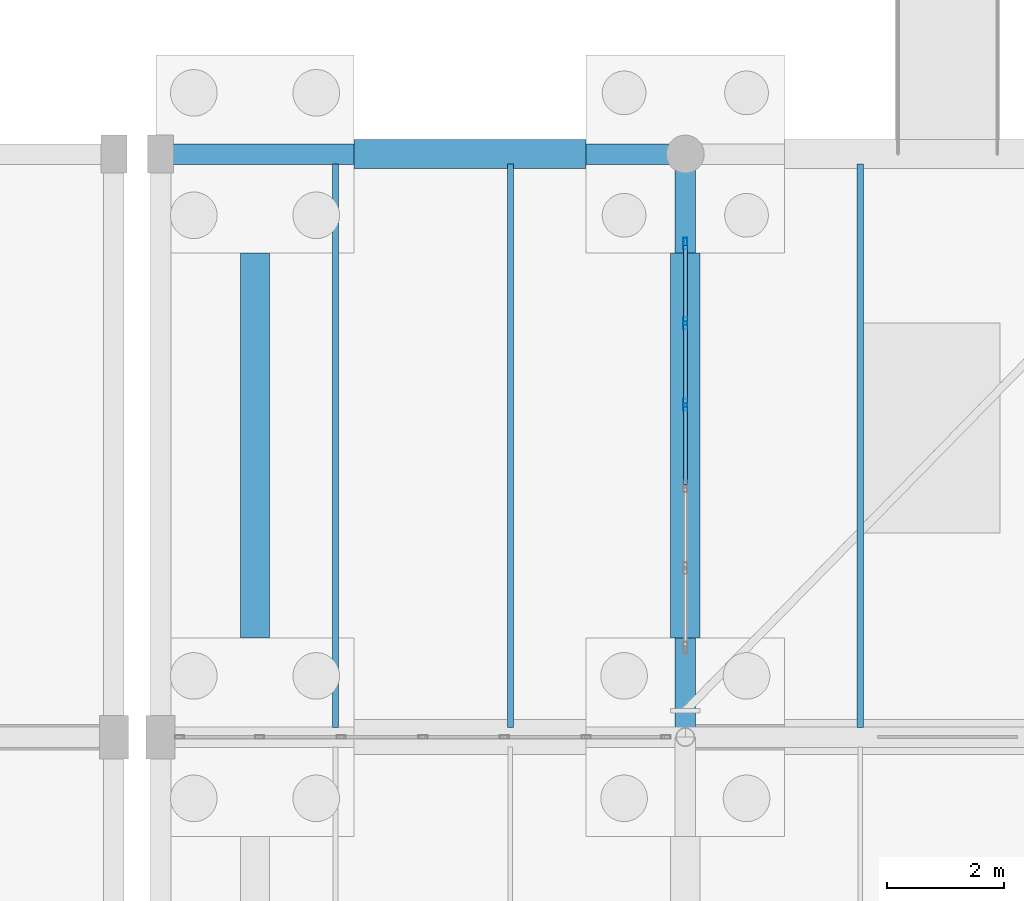
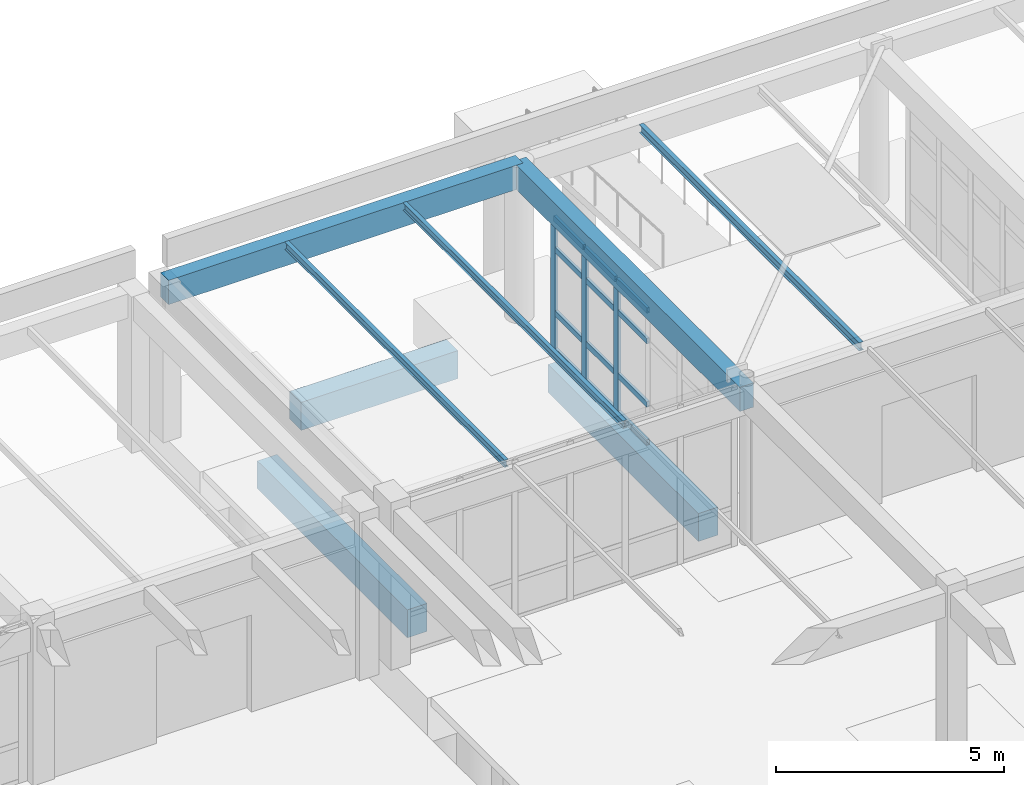
# One storey, part 134 of 186: 15 members, 8 beams, 1 element without a shape of its own.
"""IFC4 building model written with IfcOpenShell, lengths in metres."""

from ifc_helpers import new_model, si_unit, direction, frame, origin, origin_2d, place, context, subcontext, project, spatial, rectangle, hollow_rectangle, i_section, extrude, material, layer, layer_set, material_profile, profile_set, type_object, element, aggregate, save


model = new_model("IFC4")

# Units and contexts
model_context = context("Model", 3, precision=1e-05, world=origin(), true_north=direction((0.0, 1.0)))
body_context = subcontext(model_context, "Body", "Model", "MODEL_VIEW")
ifc_project = project(units=[si_unit("LENGTHUNIT", "METRE"), si_unit("AREAUNIT", "SQUARE_METRE"), si_unit("VOLUMEUNIT", "CUBIC_METRE"), si_unit("PLANEANGLEUNIT", "RADIAN"), si_unit("MASSUNIT", "GRAM", prefix="KILO")], contexts=[model_context])

# Site, building, storey
site_placement = place(None, origin())
site = spatial("IfcSite", under=ifc_project, at=site_placement, CompositionType="ELEMENT")
building_placement = place(site_placement, origin())
building = spatial("IfcBuilding", under=site, at=building_placement, Name="Ornek Quay Market", CompositionType="ELEMENT")
storey_placement = place(building_placement, origin())
storey = spatial("IfcBuildingStorey", under=building, at=storey_placement, Name="L00", CompositionType="ELEMENT", Elevation=0.0)

# Beams
ifc_material_1 = material(Name="Concrete C35/45", Category="concrete")
ifc_material_profile_1 = material_profile(ifc_material_1, rectangle(XDim=0.35009765625, YDim=0.64990234375, at=origin_2d()), Name="RC 350x650", Category="concrete")
ifc_profile_set_1 = profile_set([ifc_material_profile_1], Name="Concrete C35/45")
beam_type_1 = type_object("IfcBeamType", Name="BM-CONC-350x650", PredefinedType="BEAM", material=ifc_profile_set_1)
beam_1_placement = place(storey_placement, frame((126.0, 120.0, 3.864990234375), z_axis=(1.0, 0.0, 0.0), x_axis=(0.0, 1.0, 0.0)))
element("IfcBeam", 1, at=beam_1_placement, inside=storey, type_object=beam_type_1, Name="Primary beam B-CN1-039", PredefinedType="BEAM", context=body_context, shape_type="SweptSolid", body=[
    extrude(rectangle(XDim=0.35009765625, YDim=0.64990234375, at=origin_2d()), origin(), (0.0, 0.0, 1.0), 9.0),
])
beam_2_placement = place(storey_placement, frame((135.0, 110.0, 3.864990234375), z_axis=(0.0, 1.0, 0.0), x_axis=(-1.0, 0.0, 0.0)))
element("IfcBeam", 2, at=beam_2_placement, inside=storey, type_object=beam_type_1, Name="Primary beam B-CN1-046", PredefinedType="BEAM", context=body_context, shape_type="SweptSolid", body=[
    extrude(rectangle(XDim=0.35009765625, YDim=0.64990234375, at=origin_2d()), origin(), (0.0, 0.0, 1.0), 10.0),
])
ifc_material_profile_2 = material_profile(ifc_material_1, rectangle(XDim=0.5, YDim=0.75, at=origin_2d()), Name="RC 500x750", Category="concrete")
ifc_profile_set_2 = profile_set([ifc_material_profile_2], Name="Concrete C35/45")
beam_type_2 = type_object("IfcBeamType", Name="BM-GB-500x750", PredefinedType="BEAM", material=ifc_profile_set_2)
beam_3_placement = place(storey_placement, frame((129.320068359375, 120.0, -0.574951171875), z_axis=(1.0, 0.0, 0.0), x_axis=(0.0, 1.0, 0.0)))
element("IfcBeam", 3, at=beam_3_placement, inside=storey, type_object=beam_type_2, Name="Ground tie beam GB-356", PredefinedType="BEAM", context=body_context, shape_type="SweptSolid", body=[
    extrude(rectangle(XDim=0.5, YDim=0.75, at=origin_2d()), origin(), (0.0, 0.0, 1.0), 3.97998046875),
])
for number, where, z_axis, x_axis, name in (
    (4, (127.6201171875, 111.699951171875, -0.574951171875), (0.0, 1.0, 0.0), (-1.0, 0.0, 0.0), "Ground tie beam GB-365"),
    (5, (135.0, 111.699951171875, -0.574951171875), (0.0, 1.0, 0.0), (-1.0, 0.0, 0.0), "Ground tie beam GB-370"),
):
    element("IfcBeam", number, at=place(storey_placement, frame(where, z_axis=z_axis, x_axis=x_axis)), inside=storey, type_object=beam_type_2, Name=name, PredefinedType="BEAM", context=body_context, shape_type="SweptSolid", body=[
        extrude(rectangle(XDim=0.5, YDim=0.75, at=origin_2d()), origin(), (0.0, 0.0, 1.0), 6.60009765625),
    ])
ifc_material_2 = material(Name="Steel S355", Category="steel")
ifc_material_profile_3 = material_profile(ifc_material_2, i_section(OverallWidth=0.10009765625, OverallDepth=0.199951171875, WebThickness=0.005615234375, FlangeThickness=0.008544921875, FilletRadius=0.011962890625, at=origin_2d()), Name="IPE 200", Category="steel")
ifc_profile_set_3 = profile_set([ifc_material_profile_3], Name="Steel S355")
beam_type_3 = type_object("IfcBeamType", Name="BM-STL-IPE200", PredefinedType="JOIST", material=ifc_profile_set_3)
for number, where, z_axis, x_axis, name in (
    (6, (129.0, 110.1669921875, 4.090087890625), (0.0, 1.0, 0.0), (-1.0, 0.0, 0.0), "Secondary joist SB-02-009"),
    (7, (132.0, 110.1669921875, 4.090087890625), (0.0, 1.0, 0.0), (-1.0, 0.0, 0.0), "Secondary joist SB-02-010"),
):
    element("IfcBeam", number, at=place(storey_placement, frame(where, z_axis=z_axis, x_axis=x_axis)), inside=storey, type_object=beam_type_3, Name=name, PredefinedType="JOIST", context=body_context, shape_type="SweptSolid", body=[
        extrude(i_section(OverallWidth=0.10009765625, OverallDepth=0.199951171875, WebThickness=0.005615234375, FlangeThickness=0.008544921875, FilletRadius=0.011962890625, at=origin_2d()), origin(), (0.0, 0.0, 1.0), 9.666015625),
    ])
ifc_material_profile_4 = material_profile(ifc_material_2, i_section(OverallWidth=0.110107421875, OverallDepth=0.219970703125, WebThickness=0.005859375, FlangeThickness=0.00927734375, FilletRadius=0.011962890625, at=origin_2d()), Name="IPE 220", Category="steel")
ifc_profile_set_4 = profile_set([ifc_material_profile_4], Name="Steel S355")
beam_type_4 = type_object("IfcBeamType", Name="BM-STL-IPE220", PredefinedType="JOIST", material=ifc_profile_set_4)
beam_4_placement = place(storey_placement, frame((138.0, 110.1669921875, 4.080078125), z_axis=(0.0, 1.0, 0.0), x_axis=(-1.0, 0.0, 0.0)))
element("IfcBeam", 8, at=beam_4_placement, inside=storey, type_object=beam_type_4, Name="Secondary joist SB-03-009", PredefinedType="JOIST", context=body_context, shape_type="SweptSolid", body=[
    extrude(i_section(OverallWidth=0.110107421875, OverallDepth=0.219970703125, WebThickness=0.005859375, FlangeThickness=0.00927734375, FilletRadius=0.011962890625, at=origin_2d()), origin(), (0.0, 0.0, 1.0), 9.666015625),
])

# Curtain wall, members
ifc_material_3 = material(Name="Anodised bronze aluminium and triple low-e glass", Category="aluminium")
ifc_layer = layer(ifc_material_3, 0.219970703125, Name="Anodised bronze aluminium and triple low-e glass", Category="aluminium")
ifc_layer_set = layer_set([ifc_layer], Name="Anodised bronze aluminium and triple low-e glass")
curtain_wall_type = type_object("IfcCurtainWallType", Name="CW-PORCH-MOD1500", PredefinedType="USERDEFINED", material=ifc_layer_set)
curtain_wall_placement = place(storey_placement, origin())
curtain_wall = element("IfcCurtainWall", 9, at=curtain_wall_placement, inside=storey, type_object=curtain_wall_type, Name="Curtain wall CW-155", ObjectType="CURTAIN WALL", PredefinedType="USERDEFINED")
ifc_material_4 = material(Name="Anodised aluminium 6063-T6", Category="aluminium")
ifc_material_profile_5 = material_profile(ifc_material_4, hollow_rectangle(XDim=0.070068359375, YDim=0.199951171875, WallThickness=0.0048828125, at=origin_2d()), Name="CW-MUL-70x200", Category="aluminium")
ifc_profile_set_5 = profile_set([ifc_material_profile_5], Name="Anodised aluminium 6063-T6")
member_type_1 = type_object("IfcMemberType", Name="CW-MUL-70x200", PredefinedType="MULLION", material=ifc_profile_set_5)
member_1_placement = place(storey_placement, frame((135.0, 115.699951171875, 0.0), z_axis=(0.0, 0.0, 1.0), x_axis=(-1.0, 0.0, 0.0)))
member_1 = element("IfcMember", 10, at=member_1_placement, type_object=member_type_1, Name="CW-155 mullion 4", PredefinedType="MULLION", context=body_context, shape_type="SweptSolid", body=[
    extrude(hollow_rectangle(XDim=0.070068359375, YDim=0.199951171875, WallThickness=0.0048828125, at=origin_2d()), origin(), (0.0, 0.0, 1.0), 3.60009765625),
])
member_2_placement = place(storey_placement, frame((135.0, 117.10009765625, 0.0), z_axis=(0.0, 0.0, 1.0), x_axis=(-1.0, 0.0, 0.0)))
member_2 = element("IfcMember", 11, at=member_2_placement, type_object=member_type_1, Name="CW-155 mullion 5", PredefinedType="MULLION", context=body_context, shape_type="SweptSolid", body=[
    extrude(hollow_rectangle(XDim=0.070068359375, YDim=0.199951171875, WallThickness=0.0048828125, at=origin_2d()), origin(), (0.0, 0.0, 1.0), 3.60009765625),
])
member_3_placement = place(storey_placement, frame((135.0, 118.465087890625, 0.0), z_axis=(0.0, 0.0, 1.0), x_axis=(-1.0, 0.0, 0.0)))
member_3 = element("IfcMember", 12, at=member_3_placement, type_object=member_type_1, Name="CW-155 mullion 6", PredefinedType="MULLION", context=body_context, shape_type="SweptSolid", body=[
    extrude(hollow_rectangle(XDim=0.070068359375, YDim=0.199951171875, WallThickness=0.0048828125, at=origin_2d()), origin(), (0.0, 0.0, 1.0), 3.60009765625),
])
ifc_material_profile_6 = material_profile(ifc_material_4, hollow_rectangle(XDim=0.070068359375, YDim=0.14990234375, WallThickness=0.0048828125, at=origin_2d()), Name="CW-TRN-70x150", Category="aluminium")
ifc_profile_set_6 = profile_set([ifc_material_profile_6], Name="Anodised aluminium 6063-T6")
member_type_2 = type_object("IfcMemberType", Name="CW-TRN-70x150", PredefinedType="USERDEFINED", material=ifc_profile_set_6)
member_4_placement = place(storey_placement, frame((135.0, 114.3349609375, 0.034912109375), z_axis=(0.0, 1.0, 0.0), x_axis=(-1.0, 0.0, 0.0)))
member_4 = element("IfcMember", 13, at=member_4_placement, type_object=member_type_2, Name="CW-155 transom 3.1", ObjectType="TRANSOM", PredefinedType="USERDEFINED", context=body_context, shape_type="SweptSolid", body=[
    extrude(hollow_rectangle(XDim=0.070068359375, YDim=0.14990234375, WallThickness=0.0048828125, at=origin_2d()), origin(), (0.0, 0.0, 1.0), 1.330078125),
])
member_5_placement = place(storey_placement, frame((135.0, 114.3349609375, 1.050048828125), z_axis=(0.0, 1.0, 0.0), x_axis=(-1.0, 0.0, 0.0)))
member_5 = element("IfcMember", 14, at=member_5_placement, type_object=member_type_2, Name="CW-155 transom 3.2", ObjectType="TRANSOM", PredefinedType="USERDEFINED", context=body_context, shape_type="SweptSolid", body=[
    extrude(hollow_rectangle(XDim=0.070068359375, YDim=0.14990234375, WallThickness=0.0048828125, at=origin_2d()), origin(), (0.0, 0.0, 1.0), 1.330078125),
])
member_6_placement = place(storey_placement, frame((135.0, 114.3349609375, 2.75), z_axis=(0.0, 1.0, 0.0), x_axis=(-1.0, 0.0, 0.0)))
member_6 = element("IfcMember", 15, at=member_6_placement, type_object=member_type_2, Name="CW-155 transom 3.3", ObjectType="TRANSOM", PredefinedType="USERDEFINED", context=body_context, shape_type="SweptSolid", body=[
    extrude(hollow_rectangle(XDim=0.070068359375, YDim=0.14990234375, WallThickness=0.0048828125, at=origin_2d()), origin(), (0.0, 0.0, 1.0), 1.330078125),
])
member_7_placement = place(storey_placement, frame((135.0, 114.3349609375, 3.56494140625), z_axis=(0.0, 1.0, 0.0), x_axis=(-1.0, 0.0, 0.0)))
member_7 = element("IfcMember", 16, at=member_7_placement, type_object=member_type_2, Name="CW-155 transom 3.4", ObjectType="TRANSOM", PredefinedType="USERDEFINED", context=body_context, shape_type="SweptSolid", body=[
    extrude(hollow_rectangle(XDim=0.070068359375, YDim=0.14990234375, WallThickness=0.0048828125, at=origin_2d()), origin(), (0.0, 0.0, 1.0), 1.330078125),
])
member_8_placement = place(storey_placement, frame((135.0, 115.735107421875, 0.034912109375), z_axis=(0.0, 1.0, 0.0), x_axis=(-1.0, 0.0, 0.0)))
member_8 = element("IfcMember", 17, at=member_8_placement, type_object=member_type_2, Name="CW-155 transom 4.1", ObjectType="TRANSOM", PredefinedType="USERDEFINED", context=body_context, shape_type="SweptSolid", body=[
    extrude(hollow_rectangle(XDim=0.070068359375, YDim=0.14990234375, WallThickness=0.0048828125, at=origin_2d()), origin(), (0.0, 0.0, 1.0), 1.329833984375),
])
member_9_placement = place(storey_placement, frame((135.0, 115.735107421875, 1.050048828125), z_axis=(0.0, 1.0, 0.0), x_axis=(-1.0, 0.0, 0.0)))
member_9 = element("IfcMember", 18, at=member_9_placement, type_object=member_type_2, Name="CW-155 transom 4.2", ObjectType="TRANSOM", PredefinedType="USERDEFINED", context=body_context, shape_type="SweptSolid", body=[
    extrude(hollow_rectangle(XDim=0.070068359375, YDim=0.14990234375, WallThickness=0.0048828125, at=origin_2d()), origin(), (0.0, 0.0, 1.0), 1.329833984375),
])
member_10_placement = place(storey_placement, frame((135.0, 115.735107421875, 2.75), z_axis=(0.0, 1.0, 0.0), x_axis=(-1.0, 0.0, 0.0)))
member_10 = element("IfcMember", 19, at=member_10_placement, type_object=member_type_2, Name="CW-155 transom 4.3", ObjectType="TRANSOM", PredefinedType="USERDEFINED", context=body_context, shape_type="SweptSolid", body=[
    extrude(hollow_rectangle(XDim=0.070068359375, YDim=0.14990234375, WallThickness=0.0048828125, at=origin_2d()), origin(), (0.0, 0.0, 1.0), 1.329833984375),
])
member_11_placement = place(storey_placement, frame((135.0, 115.735107421875, 3.56494140625), z_axis=(0.0, 1.0, 0.0), x_axis=(-1.0, 0.0, 0.0)))
member_11 = element("IfcMember", 20, at=member_11_placement, type_object=member_type_2, Name="CW-155 transom 4.4", ObjectType="TRANSOM", PredefinedType="USERDEFINED", context=body_context, shape_type="SweptSolid", body=[
    extrude(hollow_rectangle(XDim=0.070068359375, YDim=0.14990234375, WallThickness=0.0048828125, at=origin_2d()), origin(), (0.0, 0.0, 1.0), 1.329833984375),
])
member_12_placement = place(storey_placement, frame((135.0, 117.135009765625, 0.034912109375), z_axis=(0.0, 1.0, 0.0), x_axis=(-1.0, 0.0, 0.0)))
member_12 = element("IfcMember", 21, at=member_12_placement, type_object=member_type_2, Name="CW-155 transom 5.1", ObjectType="TRANSOM", PredefinedType="USERDEFINED", context=body_context, shape_type="SweptSolid", body=[
    extrude(hollow_rectangle(XDim=0.070068359375, YDim=0.14990234375, WallThickness=0.0048828125, at=origin_2d()), origin(), (0.0, 0.0, 1.0), 1.294921875),
])
member_13_placement = place(storey_placement, frame((135.0, 117.135009765625, 1.050048828125), z_axis=(0.0, 1.0, 0.0), x_axis=(-1.0, 0.0, 0.0)))
member_13 = element("IfcMember", 22, at=member_13_placement, type_object=member_type_2, Name="CW-155 transom 5.2", ObjectType="TRANSOM", PredefinedType="USERDEFINED", context=body_context, shape_type="SweptSolid", body=[
    extrude(hollow_rectangle(XDim=0.070068359375, YDim=0.14990234375, WallThickness=0.0048828125, at=origin_2d()), origin(), (0.0, 0.0, 1.0), 1.294921875),
])
member_14_placement = place(storey_placement, frame((135.0, 117.135009765625, 2.75), z_axis=(0.0, 1.0, 0.0), x_axis=(-1.0, 0.0, 0.0)))
member_14 = element("IfcMember", 23, at=member_14_placement, type_object=member_type_2, Name="CW-155 transom 5.3", ObjectType="TRANSOM", PredefinedType="USERDEFINED", context=body_context, shape_type="SweptSolid", body=[
    extrude(hollow_rectangle(XDim=0.070068359375, YDim=0.14990234375, WallThickness=0.0048828125, at=origin_2d()), origin(), (0.0, 0.0, 1.0), 1.294921875),
])
member_15_placement = place(storey_placement, frame((135.0, 117.135009765625, 3.56494140625), z_axis=(0.0, 1.0, 0.0), x_axis=(-1.0, 0.0, 0.0)))
member_15 = element("IfcMember", 24, at=member_15_placement, type_object=member_type_2, Name="CW-155 transom 5.4", ObjectType="TRANSOM", PredefinedType="USERDEFINED", context=body_context, shape_type="SweptSolid", body=[
    extrude(hollow_rectangle(XDim=0.070068359375, YDim=0.14990234375, WallThickness=0.0048828125, at=origin_2d()), origin(), (0.0, 0.0, 1.0), 1.294921875),
])
aggregate(curtain_wall, [member_1, member_2, member_3, member_4, member_5, member_6, member_7, member_8, member_9, member_10, member_11, member_12, member_13, member_14, member_15])

save(model, "model.ifc")
